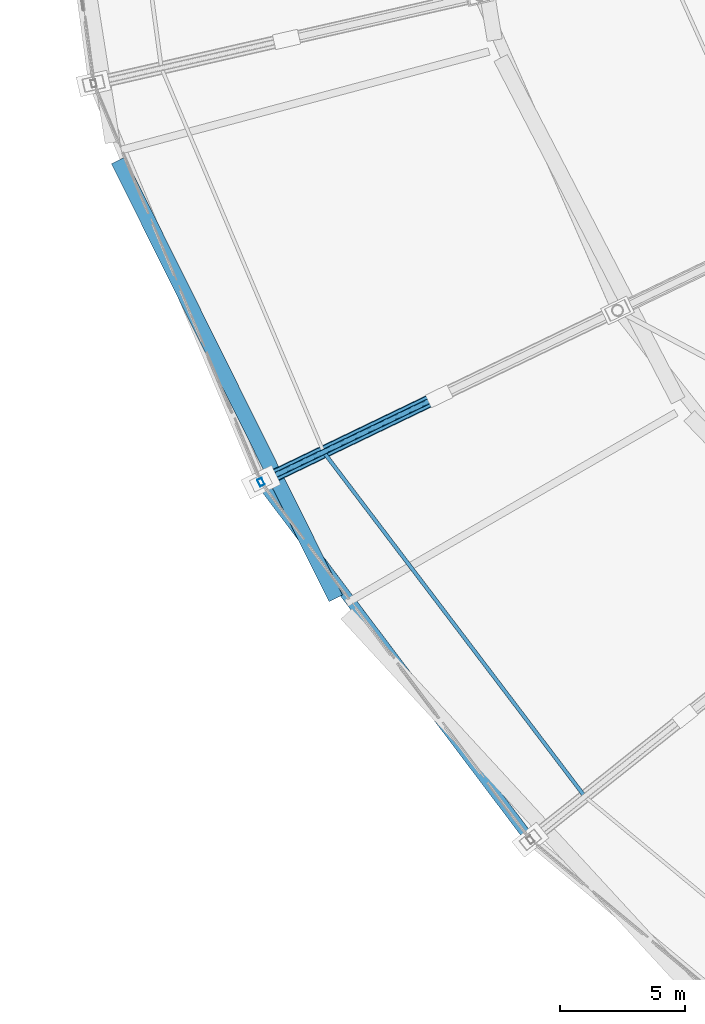
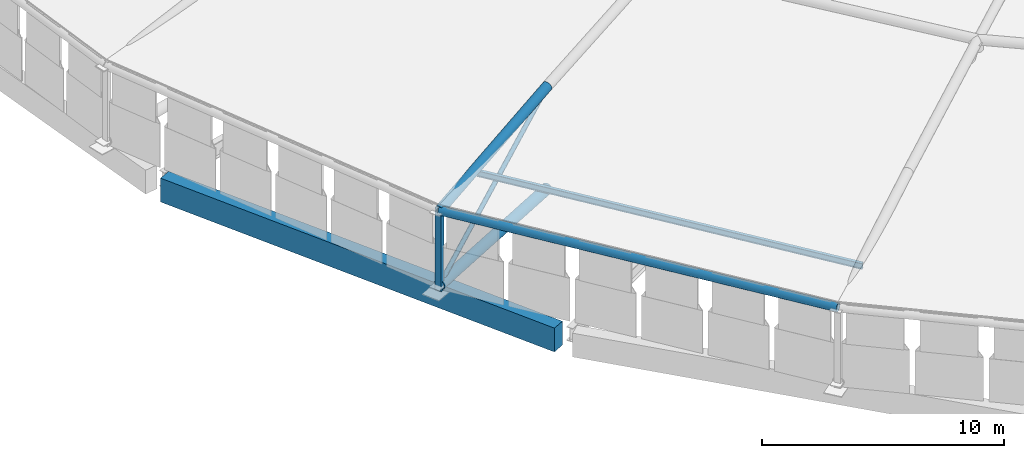
# One storey, part 6 of 108: 6 members, 1 beam.
"""IFC4 building model written with IfcOpenShell, lengths in metres."""

from ifc_helpers import new_model, si_unit, direction, frame, origin, origin_2d, place, context, subcontext, project, spatial, rectangle, hollow_rectangle, hollow_circle, i_section, extrude, material, material_profile, profile_set, type_object, element, save


model = new_model("IFC4")

# Units and contexts
model_context = context("Model", 3, precision=1e-05, world=origin(), true_north=direction((0.0, 1.0)))
body_context = subcontext(model_context, "Body", "Model", "MODEL_VIEW")
ifc_project = project(units=[si_unit("LENGTHUNIT", "METRE"), si_unit("AREAUNIT", "SQUARE_METRE"), si_unit("VOLUMEUNIT", "CUBIC_METRE"), si_unit("PLANEANGLEUNIT", "RADIAN"), si_unit("MASSUNIT", "GRAM", prefix="KILO")], contexts=[model_context])

# Site, building, storey
site_placement = place(None, origin())
site = spatial("IfcSite", under=ifc_project, at=site_placement, CompositionType="ELEMENT")
building_placement = place(site_placement, origin())
building = spatial("IfcBuilding", under=site, at=building_placement, Name="Zevraka Park Crest Stadium", CompositionType="ELEMENT")
storey_placement = place(building_placement, frame((0.0, 0.0, 29.39990234375)))
storey = spatial("IfcBuildingStorey", under=building, at=storey_placement, Name="RF", CompositionType="ELEMENT", Elevation=29.39990234375)

# Member
ifc_material_1 = material(Name="Steel S355", Category="steel")
ifc_material_profile_1 = material_profile(ifc_material_1, i_section(OverallWidth=0.14990234375, OverallDepth=0.300048828125, WebThickness=0.007080078125, FlangeThickness=0.0107421875, at=origin_2d()), Name="IPE 300")
ifc_profile_set_1 = profile_set([ifc_material_profile_1], Name="Steel S355")
member_type_1 = type_object("IfcMemberType", Name="PR02", PredefinedType="PURLIN", material=ifc_profile_set_1)
member_1_placement = place(storey_placement, frame((33.14404296875, 60.532958984375, 4.287109375), z_axis=(0.604210903158, -0.796824437693, 0.0), x_axis=(0.796824437693, 0.604210903158, 0.0)))
element("IfcMember", 1, at=member_1_placement, inside=storey, type_object=member_type_1, Name="Canopy Roof Purlin PR02 OUTER-17-1", PredefinedType="PURLIN", context=body_context, shape_type="SweptSolid", body=[
    extrude(i_section(OverallWidth=0.14990234375, OverallDepth=0.300048828125, WebThickness=0.007080078125, FlangeThickness=0.0107421875, at=origin_2d()), origin(), (0.0, 0.0, 1.0), 17.25732421875),
])

# Beam
ifc_material_2 = material(Name="Concrete C40/50", Category="concrete")
ifc_material_profile_2 = material_profile(ifc_material_2, rectangle(XDim=0.60009765625, YDim=1.199951171875, at=origin_2d()), Name="RC 1200x600")
ifc_profile_set_2 = profile_set([ifc_material_profile_2], Name="Concrete C40/50")
beam_type = type_object("IfcBeamType", Name="RB01", PredefinedType="BEAM", material=ifc_profile_set_2)
beam_placement = place(storey_placement, frame((24.946044921875, 72.1708984375, -0.599853515625), z_axis=(0.444850507814, -0.895604837916, 0.0), x_axis=(0.895604837916, 0.444850507814, 0.0)))
element("IfcBeam", 2, at=beam_placement, inside=storey, type_object=beam_type, Name="Ring Beam RB01 RF-D-13", PredefinedType="BEAM", context=body_context, shape_type="SweptSolid", body=[
    extrude(rectangle(XDim=0.60009765625, YDim=1.199951171875, at=origin_2d()), origin(), (0.0, 0.0, 1.0), 19.5185546875),
])

# Members
ifc_material_3 = material(Name="Steel S355", Category="steel")
ifc_material_profile_3 = material_profile(ifc_material_3, hollow_circle(Radius=0.25390625, WallThickness=0.030029296875, at=origin_2d()), Name="CHS 508.0x30")
ifc_profile_set_3 = profile_set([ifc_material_profile_3], Name="Steel S355")
member_type_2 = type_object("IfcMemberType", Name="TC01", PredefinedType="CHORD", material=ifc_profile_set_3)
member_2_placement = place(storey_placement, frame((30.64306640625, 59.3291015625, 0.25), z_axis=(0.900336253533, 0.433536413531, 0.037957986196), x_axis=(-0.433849072955, 0.900985561425, 0.0)))
element("IfcMember", 3, at=member_2_placement, inside=storey, type_object=member_type_2, Name="Roof Truss Bottom Chord TC01 T17-1", PredefinedType="CHORD", context=body_context, shape_type="SweptSolid", body=[
    extrude(hollow_circle(Radius=0.25390625, WallThickness=0.030029296875, at=origin_2d()), origin(), (0.0, 0.0, 1.0), 7.90478515625),
])
ifc_material_4 = material(Name="Steel S355", Category="steel")
ifc_material_profile_4 = material_profile(ifc_material_4, hollow_circle(Radius=0.228515625, WallThickness=0.02490234375, at=origin_2d()), Name="CHS 457.0x25")
ifc_profile_set_4 = profile_set([ifc_material_profile_4], Name="Steel S355")
member_type_3 = type_object("IfcMemberType", Name="TC02", PredefinedType="CHORD", material=ifc_profile_set_4)
member_3_placement = place(storey_placement, frame((30.64306640625, 59.3291015625, 4.0), z_axis=(0.88081326699, 0.424135564088, 0.210421035001), x_axis=(-0.433849072955, 0.900985561425, 0.0)))
element("IfcMember", 4, at=member_3_placement, inside=storey, type_object=member_type_3, Name="Roof Truss Top Chord TC02 T17-1", PredefinedType="CHORD", context=body_context, shape_type="SweptSolid", body=[
    extrude(hollow_circle(Radius=0.228515625, WallThickness=0.02490234375, at=origin_2d()), origin(), (0.0, 0.0, 1.0), 8.080078125),
])
ifc_material_5 = material(Name="Steel S355", Category="steel")
ifc_material_profile_5 = material_profile(ifc_material_5, hollow_circle(Radius=0.203125, WallThickness=0.02001953125, at=origin_2d()), Name="CHS 406.4x20")
ifc_profile_set_5 = profile_set([ifc_material_profile_5], Name="Steel S355")
member_type_4 = type_object("IfcMemberType", Name="TC03", PredefinedType="CHORD", material=ifc_profile_set_5)
member_4_placement = place(storey_placement, frame((30.64306640625, 59.3291015625, 4.0), z_axis=(0.601761875222, -0.798675557113, 0.0), x_axis=(0.798675557113, 0.601761875222, 0.0)))
element("IfcMember", 5, at=member_4_placement, inside=storey, type_object=member_type_4, Name="Roof Outer Canopy Ring Chord TC03 17", PredefinedType="CHORD", context=body_context, shape_type="SweptSolid", body=[
    extrude(hollow_circle(Radius=0.203125, WallThickness=0.02001953125, at=origin_2d()), origin(), (0.0, 0.0, 1.0), 17.877197265625),
])
ifc_material_6 = material(Name="Steel S355", Category="steel")
ifc_material_profile_6 = material_profile(ifc_material_6, hollow_circle(Radius=0.109619140625, WallThickness=0.010009765625, at=origin_2d()), Name="CHS 219.1x10")
ifc_profile_set_6 = profile_set([ifc_material_profile_6], Name="Steel S355")
member_type_5 = type_object("IfcMemberType", Name="WB02", PredefinedType="BRACE", material=ifc_profile_set_6)
member_5_placement = place(storey_placement, frame((30.64306640625, 59.3291015625, 0.25), z_axis=(0.741590296153, 0.357095913934, 0.567914025979), x_axis=(-0.433849072955, 0.900985561425, 0.0)))
element("IfcMember", 6, at=member_5_placement, inside=storey, type_object=member_type_5, Name="Roof Truss Web Diagonal WB02 T17-1", PredefinedType="BRACE", context=body_context, shape_type="SweptSolid", body=[
    extrude(hollow_circle(Radius=0.109619140625, WallThickness=0.010009765625, at=origin_2d()), origin(), (0.0, 0.0, 1.0), 9.596923828125),
])
ifc_material_7 = material(Name="Steel S355", Category="steel")
ifc_material_profile_7 = material_profile(ifc_material_7, hollow_rectangle(XDim=0.199951171875, YDim=0.300048828125, WallThickness=0.012451171875, at=origin_2d()), Name="RHS 300x200x12.5")
ifc_profile_set_7 = profile_set([ifc_material_profile_7], Name="Steel S355")
member_type_6 = type_object("IfcMemberType", Name="WB03", PredefinedType="BRACE", material=ifc_profile_set_7)
member_6_placement = place(storey_placement, frame((30.64306640625, 59.3291015625, 0.0), z_axis=(0.0, 0.0, 1.0), x_axis=(0.90100131981, 0.43381634559, 0.0)))
element("IfcMember", 7, at=member_6_placement, inside=storey, type_object=member_type_6, Name="Roof Truss Anchor Strut WB03 T17-0", PredefinedType="BRACE", context=body_context, shape_type="SweptSolid", body=[
    extrude(hollow_rectangle(XDim=0.199951171875, YDim=0.300048828125, WallThickness=0.012451171875, at=origin_2d()), origin(), (0.0, 0.0, 1.0), 4.0),
])

save(model, "model.ifc")
